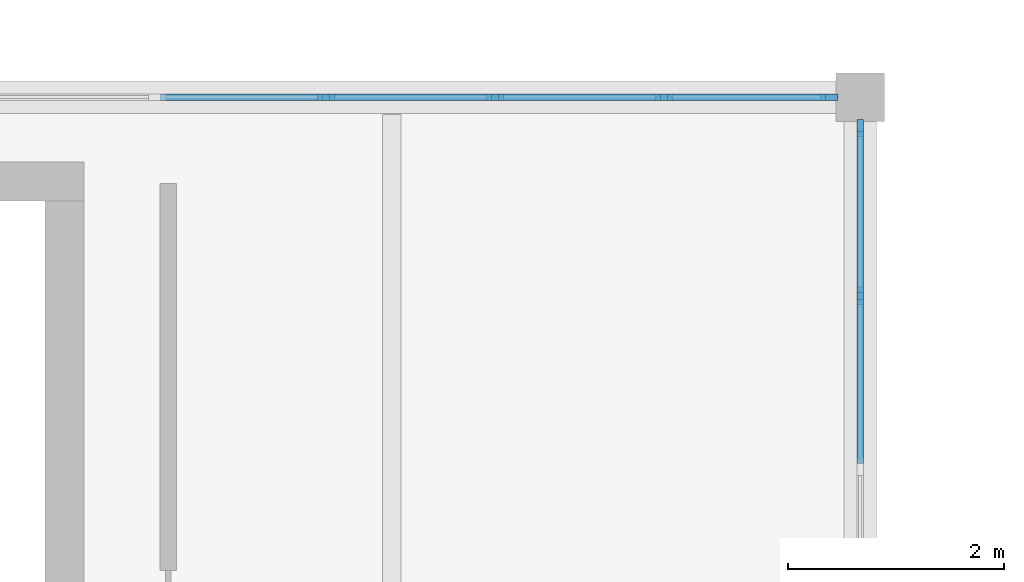
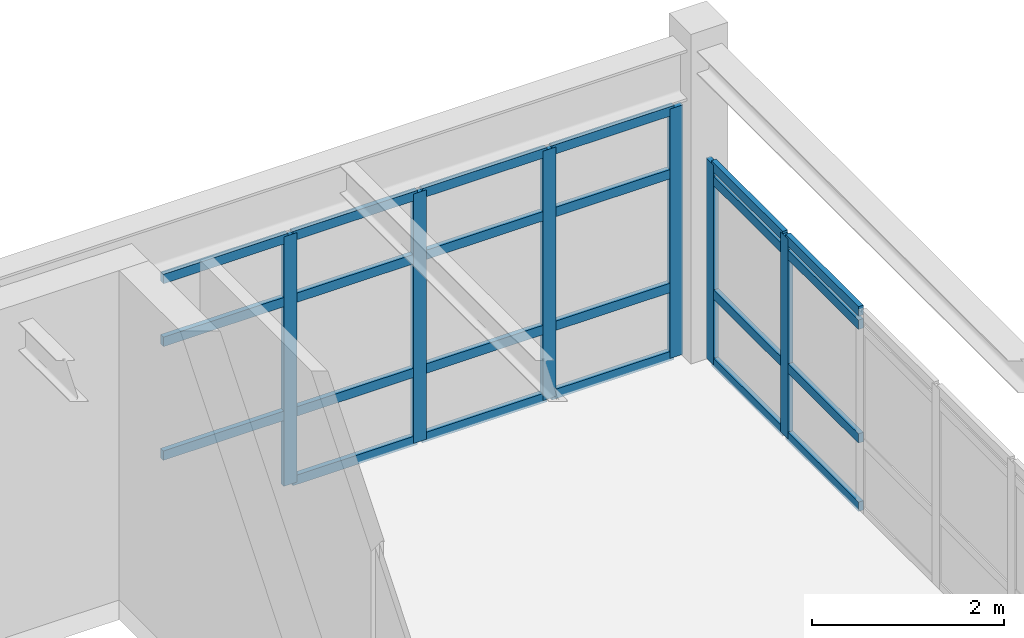
# One storey, part 30 of 122: 29 members, 2 elements without a shape of their own.
"""IFC4 building model written with IfcOpenShell, lengths in metres."""

from ifc_helpers import new_model, si_unit, direction, frame, origin, origin_2d, place, context, subcontext, project, spatial, rectangle, extrude, material, layer, layer_set, material_profile, profile_set, type_object, element, aggregate, save


model = new_model("IFC4")

# Units and contexts
model_context = context("Model", 3, precision=1e-05, world=origin(), true_north=direction((0.0, 1.0)))
body_context = subcontext(model_context, "Body", "Model", "MODEL_VIEW")
ifc_project = project(units=[si_unit("LENGTHUNIT", "METRE"), si_unit("AREAUNIT", "SQUARE_METRE"), si_unit("VOLUMEUNIT", "CUBIC_METRE"), si_unit("PLANEANGLEUNIT", "RADIAN"), si_unit("MASSUNIT", "GRAM", prefix="KILO"), si_unit("THERMODYNAMICTEMPERATUREUNIT", "KELVIN"), si_unit("POWERUNIT", "WATT")], contexts=[model_context])

# Site, building, storey
site_placement = place(None, origin())
site = spatial("IfcSite", under=ifc_project, at=site_placement, CompositionType="ELEMENT")
building_placement = place(site_placement, origin())
building = spatial("IfcBuilding", under=site, at=building_placement, Name="Korenveer Ferry Terminal", CompositionType="ELEMENT")
storey_placement = place(building_placement, frame((0.0, 0.0, 10.199951171875)))
storey = spatial("IfcBuildingStorey", under=building, at=storey_placement, Name="L02", CompositionType="ELEMENT", Elevation=10.199951171875)

# Curtain wall, members
ifc_material_1 = material(Name="Unitised bronze-and-glass curtain wall", Category="glass")
ifc_layer_1 = layer(ifc_material_1, 0.159912109375)
ifc_layer_set_1 = layer_set([ifc_layer_1], Name="Unitised bronze-and-glass curtain wall")
curtain_wall_type_1 = type_object("IfcCurtainWallType", Name="ENV-CW-85", PredefinedType="USERDEFINED", material=ifc_layer_set_1)
curtain_wall_1_placement = place(storey_placement, frame((40.2548828125, 30.0, 0.0)))
curtain_wall_1 = element("IfcCurtainWall", 1, at=curtain_wall_1_placement, inside=storey, type_object=curtain_wall_type_1, Name="Lancet curtain wall CWX-L02-X40-53-Y30-30", ObjectType="UNITISED CURTAIN WALL", PredefinedType="USERDEFINED")
ifc_material_2 = material(Name="Anodised bronze aluminium", Category="aluminium")
ifc_material_profile_1 = material_profile(ifc_material_2, rectangle(XDim=0.06005859375, YDim=0.159912109375, at=origin_2d()), Name="ALU 60x160")
ifc_profile_set_1 = profile_set([ifc_material_profile_1], Name="Anodised bronze aluminium")
member_type_1 = type_object("IfcMemberType", Name="ENV-CWM-60X160", PredefinedType="MULLION", material=ifc_profile_set_1)
member_1_placement = place(storey_placement, frame((48.061279296875, 30.0, 0.0), z_axis=(0.0, 0.0, 1.0), x_axis=(0.0, 1.0, 0.0)))
member_1 = element("IfcMember", 2, at=member_1_placement, type_object=member_type_1, Name="CW-85 mullion 6", PredefinedType="MULLION", context=body_context, shape_type="SweptSolid", body=[
    extrude(rectangle(XDim=0.06005859375, YDim=0.159912109375, at=origin_2d()), origin(), (0.0, 0.0, 1.0), 3.179931640625),
])
member_2_placement = place(storey_placement, frame((49.62255859375, 30.0, 0.0), z_axis=(0.0, 0.0, 1.0), x_axis=(0.0, 1.0, 0.0)))
member_2 = element("IfcMember", 3, at=member_2_placement, type_object=member_type_1, Name="CW-85 mullion 7", PredefinedType="MULLION", context=body_context, shape_type="SweptSolid", body=[
    extrude(rectangle(XDim=0.06005859375, YDim=0.159912109375, at=origin_2d()), origin(), (0.0, 0.0, 1.0), 3.179931640625),
])
member_3_placement = place(storey_placement, frame((51.183837890625, 30.0, 0.0), z_axis=(0.0, 0.0, 1.0), x_axis=(0.0, 1.0, 0.0)))
member_3 = element("IfcMember", 4, at=member_3_placement, type_object=member_type_1, Name="CW-85 mullion 8", PredefinedType="MULLION", context=body_context, shape_type="SweptSolid", body=[
    extrude(rectangle(XDim=0.06005859375, YDim=0.159912109375, at=origin_2d()), origin(), (0.0, 0.0, 1.0), 3.179931640625),
])
member_4_placement = place(storey_placement, frame((52.715087890625, 30.0, 0.0), z_axis=(0.0, 0.0, 1.0), x_axis=(0.0, 1.0, 0.0)))
member_4 = element("IfcMember", 5, at=member_4_placement, type_object=member_type_1, Name="CW-85 mullion 9", PredefinedType="MULLION", context=body_context, shape_type="SweptSolid", body=[
    extrude(rectangle(XDim=0.06005859375, YDim=0.159912109375, at=origin_2d()), origin(), (0.0, 0.0, 1.0), 3.179931640625),
])

ifc_layer_2 = layer(ifc_material_1, 0.159912109375)
ifc_layer_set_2 = layer_set([ifc_layer_2], Name="Unitised bronze-and-glass curtain wall")
curtain_wall_type_2 = type_object("IfcCurtainWallType", Name="ENV-CW-114", PredefinedType="USERDEFINED", material=ifc_layer_set_2)
curtain_wall_2_placement = place(storey_placement, frame((53.0, 29.7451171875, 0.0)))
curtain_wall_2 = element("IfcCurtainWall", 6, at=curtain_wall_2_placement, inside=storey, type_object=curtain_wall_type_2, Name="Lancet curtain wall CWX-L02-X53-53-Y20-30", ObjectType="UNITISED CURTAIN WALL", PredefinedType="USERDEFINED")
member_5_placement = place(storey_placement, frame((53.0, 29.715087890625, 0.0), z_axis=(0.0, 0.0, 1.0), x_axis=(1.0, 0.0, 0.0)))
member_5 = element("IfcMember", 7, at=member_5_placement, type_object=member_type_1, Name="CW-114 mullion 1", PredefinedType="MULLION", context=body_context, shape_type="SweptSolid", body=[
    extrude(rectangle(XDim=0.06005859375, YDim=0.159912109375, at=origin_2d()), origin(), (0.0, 0.0, 1.0), 2.550048828125),
])
member_6_placement = place(storey_placement, frame((53.0, 28.163330078125, 0.0), z_axis=(0.0, 0.0, 1.0), x_axis=(1.0, 0.0, 0.0)))
member_6 = element("IfcMember", 8, at=member_6_placement, type_object=member_type_1, Name="CW-114 mullion 2", PredefinedType="MULLION", context=body_context, shape_type="SweptSolid", body=[
    extrude(rectangle(XDim=0.06005859375, YDim=0.159912109375, at=origin_2d()), origin(), (0.0, 0.0, 1.0), 2.550048828125),
])

# Member
ifc_material_profile_2 = material_profile(ifc_material_2, rectangle(XDim=0.06005859375, YDim=0.1201171875, at=origin_2d()), Name="ALU 60x120")
ifc_profile_set_2 = profile_set([ifc_material_profile_2], Name="Anodised bronze aluminium")
member_type_2 = type_object("IfcMemberType", Name="ENV-CWT-60X120", PredefinedType="USERDEFINED", material=ifc_profile_set_2)
member_7_placement = place(storey_placement, frame((46.530029296875, 30.0, 0.900146484375), z_axis=(1.0, 0.0, 0.0), x_axis=(0.0, 1.0, 0.0)))
member_7 = element("IfcMember", 9, at=member_7_placement, type_object=member_type_2, Name="CW-85 transom 5.2", ObjectType="TRANSOM", PredefinedType="USERDEFINED", context=body_context, shape_type="SweptSolid", body=[
    extrude(rectangle(XDim=0.06005859375, YDim=0.1201171875, at=origin_2d()), origin(), (0.0, 0.0, 1.0), 1.501220703125),
])

member_8_placement = place(storey_placement, frame((46.530029296875, 30.0, 2.35009765625), z_axis=(1.0, 0.0, 0.0), x_axis=(0.0, 1.0, 0.0)))
member_8 = element("IfcMember", 10, at=member_8_placement, type_object=member_type_2, Name="CW-85 transom 5.3", ObjectType="TRANSOM", PredefinedType="USERDEFINED", context=body_context, shape_type="SweptSolid", body=[
    extrude(rectangle(XDim=0.06005859375, YDim=0.1201171875, at=origin_2d()), origin(), (0.0, 0.0, 1.0), 1.501220703125),
])

member_9_placement = place(storey_placement, frame((46.530029296875, 30.0, 3.150146484375), z_axis=(1.0, 0.0, 0.0), x_axis=(0.0, 1.0, 0.0)))
member_9 = element("IfcMember", 11, at=member_9_placement, type_object=member_type_2, Name="CW-85 transom 5.4", ObjectType="TRANSOM", PredefinedType="USERDEFINED", context=body_context, shape_type="SweptSolid", body=[
    extrude(rectangle(XDim=0.06005859375, YDim=0.1201171875, at=origin_2d()), origin(), (0.0, 0.0, 1.0), 1.501220703125),
])

member_10_placement = place(storey_placement, frame((48.09130859375, 30.0, 0.030029296875), z_axis=(1.0, 0.0, 0.0), x_axis=(0.0, 1.0, 0.0)))
member_10 = element("IfcMember", 12, at=member_10_placement, type_object=member_type_2, Name="CW-85 transom 6.1", ObjectType="TRANSOM", PredefinedType="USERDEFINED", context=body_context, shape_type="SweptSolid", body=[
    extrude(rectangle(XDim=0.06005859375, YDim=0.1201171875, at=origin_2d()), origin(), (0.0, 0.0, 1.0), 1.501220703125),
])

member_11_placement = place(storey_placement, frame((48.09130859375, 30.0, 0.900146484375), z_axis=(1.0, 0.0, 0.0), x_axis=(0.0, 1.0, 0.0)))
member_11 = element("IfcMember", 13, at=member_11_placement, type_object=member_type_2, Name="CW-85 transom 6.2", ObjectType="TRANSOM", PredefinedType="USERDEFINED", context=body_context, shape_type="SweptSolid", body=[
    extrude(rectangle(XDim=0.06005859375, YDim=0.1201171875, at=origin_2d()), origin(), (0.0, 0.0, 1.0), 1.501220703125),
])

member_12_placement = place(storey_placement, frame((48.09130859375, 30.0, 2.35009765625), z_axis=(1.0, 0.0, 0.0), x_axis=(0.0, 1.0, 0.0)))
member_12 = element("IfcMember", 14, at=member_12_placement, type_object=member_type_2, Name="CW-85 transom 6.3", ObjectType="TRANSOM", PredefinedType="USERDEFINED", context=body_context, shape_type="SweptSolid", body=[
    extrude(rectangle(XDim=0.06005859375, YDim=0.1201171875, at=origin_2d()), origin(), (0.0, 0.0, 1.0), 1.501220703125),
])

member_13_placement = place(storey_placement, frame((48.09130859375, 30.0, 3.150146484375), z_axis=(1.0, 0.0, 0.0), x_axis=(0.0, 1.0, 0.0)))
member_13 = element("IfcMember", 15, at=member_13_placement, type_object=member_type_2, Name="CW-85 transom 6.4", ObjectType="TRANSOM", PredefinedType="USERDEFINED", context=body_context, shape_type="SweptSolid", body=[
    extrude(rectangle(XDim=0.06005859375, YDim=0.1201171875, at=origin_2d()), origin(), (0.0, 0.0, 1.0), 1.501220703125),
])

member_14_placement = place(storey_placement, frame((49.652587890625, 30.0, 0.030029296875), z_axis=(1.0, 0.0, 0.0), x_axis=(0.0, 1.0, 0.0)))
member_14 = element("IfcMember", 16, at=member_14_placement, type_object=member_type_2, Name="CW-85 transom 7.1", ObjectType="TRANSOM", PredefinedType="USERDEFINED", context=body_context, shape_type="SweptSolid", body=[
    extrude(rectangle(XDim=0.06005859375, YDim=0.1201171875, at=origin_2d()), origin(), (0.0, 0.0, 1.0), 1.501220703125),
])

member_15_placement = place(storey_placement, frame((49.652587890625, 30.0, 0.900146484375), z_axis=(1.0, 0.0, 0.0), x_axis=(0.0, 1.0, 0.0)))
member_15 = element("IfcMember", 17, at=member_15_placement, type_object=member_type_2, Name="CW-85 transom 7.2", ObjectType="TRANSOM", PredefinedType="USERDEFINED", context=body_context, shape_type="SweptSolid", body=[
    extrude(rectangle(XDim=0.06005859375, YDim=0.1201171875, at=origin_2d()), origin(), (0.0, 0.0, 1.0), 1.501220703125),
])

member_16_placement = place(storey_placement, frame((49.652587890625, 30.0, 2.35009765625), z_axis=(1.0, 0.0, 0.0), x_axis=(0.0, 1.0, 0.0)))
member_16 = element("IfcMember", 18, at=member_16_placement, type_object=member_type_2, Name="CW-85 transom 7.3", ObjectType="TRANSOM", PredefinedType="USERDEFINED", context=body_context, shape_type="SweptSolid", body=[
    extrude(rectangle(XDim=0.06005859375, YDim=0.1201171875, at=origin_2d()), origin(), (0.0, 0.0, 1.0), 1.501220703125),
])

member_17_placement = place(storey_placement, frame((49.652587890625, 30.0, 3.150146484375), z_axis=(1.0, 0.0, 0.0), x_axis=(0.0, 1.0, 0.0)))
member_17 = element("IfcMember", 19, at=member_17_placement, type_object=member_type_2, Name="CW-85 transom 7.4", ObjectType="TRANSOM", PredefinedType="USERDEFINED", context=body_context, shape_type="SweptSolid", body=[
    extrude(rectangle(XDim=0.06005859375, YDim=0.1201171875, at=origin_2d()), origin(), (0.0, 0.0, 1.0), 1.501220703125),
])

member_18_placement = place(storey_placement, frame((51.2138671875, 30.0, 0.030029296875), z_axis=(1.0, 0.0, 0.0), x_axis=(0.0, 1.0, 0.0)))
member_18 = element("IfcMember", 20, at=member_18_placement, type_object=member_type_2, Name="CW-85 transom 8.1", ObjectType="TRANSOM", PredefinedType="USERDEFINED", context=body_context, shape_type="SweptSolid", body=[
    extrude(rectangle(XDim=0.06005859375, YDim=0.1201171875, at=origin_2d()), origin(), (0.0, 0.0, 1.0), 1.47119140625),
])

member_19_placement = place(storey_placement, frame((51.2138671875, 30.0, 0.900146484375), z_axis=(1.0, 0.0, 0.0), x_axis=(0.0, 1.0, 0.0)))
member_19 = element("IfcMember", 21, at=member_19_placement, type_object=member_type_2, Name="CW-85 transom 8.2", ObjectType="TRANSOM", PredefinedType="USERDEFINED", context=body_context, shape_type="SweptSolid", body=[
    extrude(rectangle(XDim=0.06005859375, YDim=0.1201171875, at=origin_2d()), origin(), (0.0, 0.0, 1.0), 1.47119140625),
])

member_20_placement = place(storey_placement, frame((51.2138671875, 30.0, 2.35009765625), z_axis=(1.0, 0.0, 0.0), x_axis=(0.0, 1.0, 0.0)))
member_20 = element("IfcMember", 22, at=member_20_placement, type_object=member_type_2, Name="CW-85 transom 8.3", ObjectType="TRANSOM", PredefinedType="USERDEFINED", context=body_context, shape_type="SweptSolid", body=[
    extrude(rectangle(XDim=0.06005859375, YDim=0.1201171875, at=origin_2d()), origin(), (0.0, 0.0, 1.0), 1.47119140625),
])

member_21_placement = place(storey_placement, frame((51.2138671875, 30.0, 3.150146484375), z_axis=(1.0, 0.0, 0.0), x_axis=(0.0, 1.0, 0.0)))
member_21 = element("IfcMember", 23, at=member_21_placement, type_object=member_type_2, Name="CW-85 transom 8.4", ObjectType="TRANSOM", PredefinedType="USERDEFINED", context=body_context, shape_type="SweptSolid", body=[
    extrude(rectangle(XDim=0.06005859375, YDim=0.1201171875, at=origin_2d()), origin(), (0.0, 0.0, 1.0), 1.47119140625),
])

aggregate(curtain_wall_1, [member_1, member_2, member_3, member_4, member_7, member_8, member_9, member_10, member_11, member_12, member_13, member_14, member_15, member_16, member_17, member_18, member_19, member_20, member_21])

member_22_placement = place(storey_placement, frame((53.0, 29.68505859375, 0.030029296875), z_axis=(0.0, -1.0, 0.0), x_axis=(1.0, 0.0, 0.0)))
member_22 = element("IfcMember", 24, at=member_22_placement, type_object=member_type_2, Name="CW-114 transom 1.1", ObjectType="TRANSOM", PredefinedType="USERDEFINED", context=body_context, shape_type="SweptSolid", body=[
    extrude(rectangle(XDim=0.06005859375, YDim=0.1201171875, at=origin_2d()), origin(), (0.0, 0.0, 1.0), 1.49169921875),
])

member_23_placement = place(storey_placement, frame((53.0, 29.68505859375, 0.900146484375), z_axis=(0.0, -1.0, 0.0), x_axis=(1.0, 0.0, 0.0)))
member_23 = element("IfcMember", 25, at=member_23_placement, type_object=member_type_2, Name="CW-114 transom 1.2", ObjectType="TRANSOM", PredefinedType="USERDEFINED", context=body_context, shape_type="SweptSolid", body=[
    extrude(rectangle(XDim=0.06005859375, YDim=0.1201171875, at=origin_2d()), origin(), (0.0, 0.0, 1.0), 1.49169921875),
])

member_24_placement = place(storey_placement, frame((53.0, 29.68505859375, 2.35009765625), z_axis=(0.0, -1.0, 0.0), x_axis=(1.0, 0.0, 0.0)))
member_24 = element("IfcMember", 26, at=member_24_placement, type_object=member_type_2, Name="CW-114 transom 1.3", ObjectType="TRANSOM", PredefinedType="USERDEFINED", context=body_context, shape_type="SweptSolid", body=[
    extrude(rectangle(XDim=0.06005859375, YDim=0.1201171875, at=origin_2d()), origin(), (0.0, 0.0, 1.0), 1.49169921875),
])

member_25_placement = place(storey_placement, frame((53.0, 29.68505859375, 2.52001953125), z_axis=(0.0, -1.0, 0.0), x_axis=(1.0, 0.0, 0.0)))
member_25 = element("IfcMember", 27, at=member_25_placement, type_object=member_type_2, Name="CW-114 transom 1.4", ObjectType="TRANSOM", PredefinedType="USERDEFINED", context=body_context, shape_type="SweptSolid", body=[
    extrude(rectangle(XDim=0.06005859375, YDim=0.1201171875, at=origin_2d()), origin(), (0.0, 0.0, 1.0), 1.49169921875),
])

member_26_placement = place(storey_placement, frame((53.0, 28.13330078125, 0.030029296875), z_axis=(0.0, -1.0, 0.0), x_axis=(1.0, 0.0, 0.0)))
member_26 = element("IfcMember", 28, at=member_26_placement, type_object=member_type_2, Name="CW-114 transom 2.1", ObjectType="TRANSOM", PredefinedType="USERDEFINED", context=body_context, shape_type="SweptSolid", body=[
    extrude(rectangle(XDim=0.06005859375, YDim=0.1201171875, at=origin_2d()), origin(), (0.0, 0.0, 1.0), 1.521728515625),
])

member_27_placement = place(storey_placement, frame((53.0, 28.13330078125, 0.900146484375), z_axis=(0.0, -1.0, 0.0), x_axis=(1.0, 0.0, 0.0)))
member_27 = element("IfcMember", 29, at=member_27_placement, type_object=member_type_2, Name="CW-114 transom 2.2", ObjectType="TRANSOM", PredefinedType="USERDEFINED", context=body_context, shape_type="SweptSolid", body=[
    extrude(rectangle(XDim=0.06005859375, YDim=0.1201171875, at=origin_2d()), origin(), (0.0, 0.0, 1.0), 1.521728515625),
])

member_28_placement = place(storey_placement, frame((53.0, 28.13330078125, 2.35009765625), z_axis=(0.0, -1.0, 0.0), x_axis=(1.0, 0.0, 0.0)))
member_28 = element("IfcMember", 30, at=member_28_placement, type_object=member_type_2, Name="CW-114 transom 2.3", ObjectType="TRANSOM", PredefinedType="USERDEFINED", context=body_context, shape_type="SweptSolid", body=[
    extrude(rectangle(XDim=0.06005859375, YDim=0.1201171875, at=origin_2d()), origin(), (0.0, 0.0, 1.0), 1.521728515625),
])

member_29_placement = place(storey_placement, frame((53.0, 28.13330078125, 2.52001953125), z_axis=(0.0, -1.0, 0.0), x_axis=(1.0, 0.0, 0.0)))
member_29 = element("IfcMember", 31, at=member_29_placement, type_object=member_type_2, Name="CW-114 transom 2.4", ObjectType="TRANSOM", PredefinedType="USERDEFINED", context=body_context, shape_type="SweptSolid", body=[
    extrude(rectangle(XDim=0.06005859375, YDim=0.1201171875, at=origin_2d()), origin(), (0.0, 0.0, 1.0), 1.521728515625),
])

aggregate(curtain_wall_2, [member_5, member_6, member_22, member_23, member_24, member_25, member_26, member_27, member_28, member_29])

save(model, "model.ifc")
